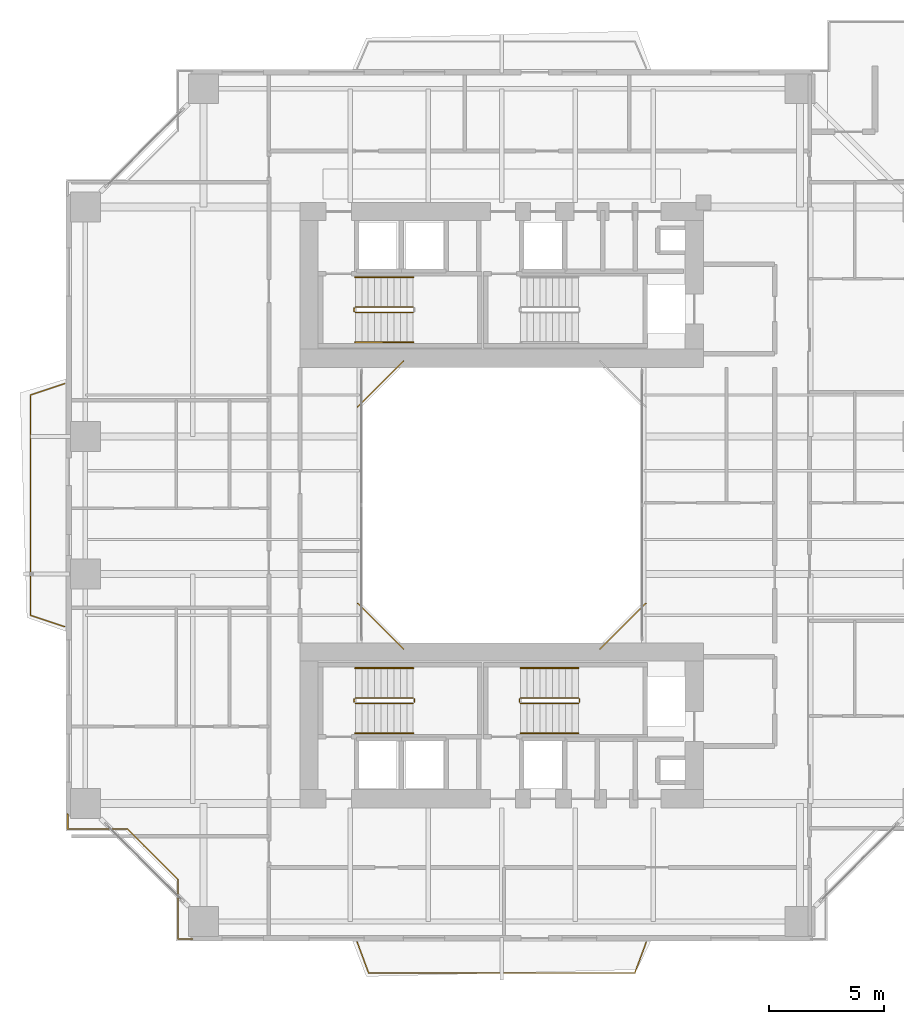
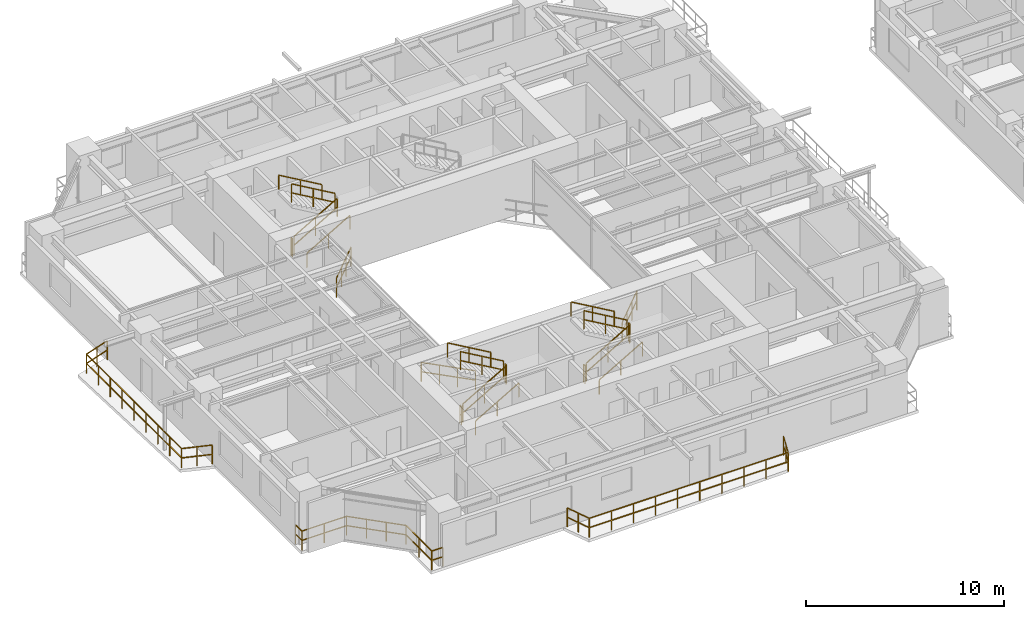
# One storey, part 20 of 23: 23 railings.
"""IFC4 building model written with IfcOpenShell, lengths in metres."""

from ifc_helpers import new_model, si_unit, direction, frame, origin, origin_2d, place, context, subcontext, project, spatial, rectangle, extrude, material, type_object, element, save


model = new_model("IFC4")

# Units and contexts
model_context = context("Model", 3, precision=1e-05, world=origin(), true_north=direction((0.0, 1.0)))
body_context = subcontext(model_context, "Body", "Model", "MODEL_VIEW")
ifc_project = project(units=[si_unit("LENGTHUNIT", "METRE"), si_unit("AREAUNIT", "SQUARE_METRE"), si_unit("VOLUMEUNIT", "CUBIC_METRE"), si_unit("PLANEANGLEUNIT", "RADIAN"), si_unit("MASSUNIT", "GRAM", prefix="KILO"), si_unit("THERMODYNAMICTEMPERATUREUNIT", "KELVIN"), si_unit("POWERUNIT", "WATT")], contexts=[model_context])

# Site, building, storey
site_placement = place(None, origin())
site = spatial("IfcSite", under=ifc_project, at=site_placement, CompositionType="ELEMENT")
building_placement = place(site_placement, origin())
building = spatial("IfcBuilding", under=site, at=building_placement, Name="Qiaomeng Ring Towers", CompositionType="ELEMENT")
storey_placement = place(building_placement, frame((0.0, 0.0, 32.75)))
storey = spatial("IfcBuildingStorey", under=building, at=storey_placement, Name="L08", CompositionType="ELEMENT", Elevation=32.75)

# Railings
ifc_material_1 = material(Name="Low-E pale-green laminated safety glass", Category="glass")
railing_type_1 = type_object("IfcRailingType", Name="ARC-RL-BAL1", PredefinedType="BALUSTRADE", material=ifc_material_1)
railing_1_placement = place(storey_placement, frame((23.280029296875, 16.719970703125, 0.0)))
element("IfcRailing", 1, at=railing_1_placement, inside=storey, type_object=railing_type_1, Name="L08 Balustrade ARC-BAL-WELL1-L08-1", PredefinedType="BALUSTRADE", context=body_context, shape_type="SweptSolid", body=[
    extrude(rectangle(XDim=0.048095703125, YDim=0.048095703125, at=origin_2d()), frame((0.0, 0.0, 1.17578125), z_axis=(0.707106781187, 0.707106781187, 0.0), x_axis=(-0.707106781187, 0.707106781187, 0.0)), (0.0, 0.0, 1.0), 2.828369140625),
    extrude(rectangle(XDim=0.048095703125, YDim=0.048095703125, at=origin_2d()), frame((0.0, 0.0, 0.60009765625), z_axis=(0.707106781187, 0.707106781187, 0.0), x_axis=(-0.707106781187, 0.707106781187, 0.0)), (0.0, 0.0, 1.0), 2.828369140625),
    extrude(rectangle(XDim=0.0419921875, YDim=0.0419921875, at=origin_2d()), origin(), (0.0, 0.0, 1.0), 1.15185546875),
    extrude(rectangle(XDim=0.0419921875, YDim=0.0419921875, at=origin_2d()), frame((0.666748046875, 0.666748046875, 0.0)), (0.0, 0.0, 1.0), 1.15185546875),
    extrude(rectangle(XDim=0.0419921875, YDim=0.0419921875, at=origin_2d()), frame((1.333251953125, 1.333251953125, 0.0)), (0.0, 0.0, 1.0), 1.15185546875),
    extrude(rectangle(XDim=0.0419921875, YDim=0.0419921875, at=origin_2d()), frame((2.0, 2.0, 0.0)), (0.0, 0.0, 1.0), 1.15185546875),
])
railing_2_placement = place(storey_placement, frame((14.719970703125, 29.280029296875, 0.0)))
element("IfcRailing", 2, at=railing_2_placement, inside=storey, type_object=railing_type_1, Name="L08 Balustrade ARC-BAL-WELL1-L08-3", PredefinedType="BALUSTRADE", context=body_context, shape_type="SweptSolid", body=[
    extrude(rectangle(XDim=0.048095703125, YDim=0.048095703125, at=origin_2d()), frame((0.0, 0.0, 1.17578125), z_axis=(-0.707106781187, -0.707106781187, 0.0), x_axis=(0.707106781187, -0.707106781187, 0.0)), (0.0, 0.0, 1.0), 2.828369140625),
    extrude(rectangle(XDim=0.048095703125, YDim=0.048095703125, at=origin_2d()), frame((0.0, 0.0, 0.60009765625), z_axis=(-0.707106781187, -0.707106781187, 0.0), x_axis=(0.707106781187, -0.707106781187, 0.0)), (0.0, 0.0, 1.0), 2.828369140625),
    extrude(rectangle(XDim=0.0419921875, YDim=0.0419921875, at=origin_2d()), origin(), (0.0, 0.0, 1.0), 1.15185546875),
    extrude(rectangle(XDim=0.0419921875, YDim=0.0419921875, at=origin_2d()), frame((-0.666748046875, -0.666748046875, 0.0)), (0.0, 0.0, 1.0), 1.15185546875),
    extrude(rectangle(XDim=0.0419921875, YDim=0.0419921875, at=origin_2d()), frame((-1.333251953125, -1.333251953125, 0.0)), (0.0, 0.0, 1.0), 1.15185546875),
    extrude(rectangle(XDim=0.0419921875, YDim=0.0419921875, at=origin_2d()), frame((-2.0, -2.0, 0.0)), (0.0, 0.0, 1.0), 1.15185546875),
])
railing_3_placement = place(storey_placement, frame((12.719970703125, 18.719970703125, 0.0)))
element("IfcRailing", 3, at=railing_3_placement, inside=storey, type_object=railing_type_1, Name="L08 Balustrade ARC-BAL-WELL1-L08-4", PredefinedType="BALUSTRADE", context=body_context, shape_type="SweptSolid", body=[
    extrude(rectangle(XDim=0.048095703125, YDim=0.048095703125, at=origin_2d()), frame((0.0, 0.0, 1.17578125), z_axis=(0.707106781187, -0.707106781187, 0.0), x_axis=(0.707106781187, 0.707106781187, 0.0)), (0.0, 0.0, 1.0), 2.828369140625),
    extrude(rectangle(XDim=0.048095703125, YDim=0.048095703125, at=origin_2d()), frame((0.0, 0.0, 0.60009765625), z_axis=(0.707106781187, -0.707106781187, 0.0), x_axis=(0.707106781187, 0.707106781187, 0.0)), (0.0, 0.0, 1.0), 2.828369140625),
    extrude(rectangle(XDim=0.0419921875, YDim=0.0419921875, at=origin_2d()), origin(), (0.0, 0.0, 1.0), 1.15185546875),
    extrude(rectangle(XDim=0.0419921875, YDim=0.0419921875, at=origin_2d()), frame((0.666748046875, -0.666748046875, 0.0)), (0.0, 0.0, 1.0), 1.15185546875),
    extrude(rectangle(XDim=0.0419921875, YDim=0.0419921875, at=origin_2d()), frame((1.333251953125, -1.333251953125, 0.0)), (0.0, 0.0, 1.0), 1.15185546875),
    extrude(rectangle(XDim=0.0419921875, YDim=0.0419921875, at=origin_2d()), frame((2.0, -2.0, 0.0)), (0.0, 0.0, 1.0), 1.15185546875),
])
railing_4_placement = place(storey_placement, frame((0.080078125, 9.530029296875, 0.0)))
element("IfcRailing", 4, at=railing_4_placement, inside=storey, type_object=railing_type_1, Name="L08 Balustrade ARC-BAL-NOTCH1-L08-SW", PredefinedType="BALUSTRADE", context=body_context, shape_type="SweptSolid", body=[
    extrude(rectangle(XDim=0.048095703125, YDim=0.048095703125, at=origin_2d()), frame((0.0, 0.0, 1.17578125), z_axis=(0.0, -1.0, 0.0), x_axis=(1.0, 0.0, 0.0)), (0.0, 0.0, 1.0), 0.650146484375),
    extrude(rectangle(XDim=0.048095703125, YDim=0.048095703125, at=origin_2d()), frame((0.0, 0.0, 0.60009765625), z_axis=(0.0, -1.0, 0.0), x_axis=(1.0, 0.0, 0.0)), (0.0, 0.0, 1.0), 0.650146484375),
    extrude(rectangle(XDim=0.048095703125, YDim=0.048095703125, at=origin_2d()), frame((0.0, -0.650146484375, 1.17578125), z_axis=(1.0, 0.0, 0.0), x_axis=(0.0, 1.0, 0.0)), (0.0, 0.0, 1.0), 2.599853515625),
    extrude(rectangle(XDim=0.048095703125, YDim=0.048095703125, at=origin_2d()), frame((0.0, -0.650146484375, 0.60009765625), z_axis=(1.0, 0.0, 0.0), x_axis=(0.0, 1.0, 0.0)), (0.0, 0.0, 1.0), 2.599853515625),
    extrude(rectangle(XDim=0.048095703125, YDim=0.048095703125, at=origin_2d()), frame((2.599853515625, -0.650146484375, 1.17578125), z_axis=(0.707106781187, -0.707106781187, 0.0), x_axis=(0.707106781187, 0.707106781187, 0.0)), (0.0, 0.0, 1.0), 3.111083984375),
    extrude(rectangle(XDim=0.048095703125, YDim=0.048095703125, at=origin_2d()), frame((2.599853515625, -0.650146484375, 0.60009765625), z_axis=(0.707106781187, -0.707106781187, 0.0), x_axis=(0.707106781187, 0.707106781187, 0.0)), (0.0, 0.0, 1.0), 3.111083984375),
    extrude(rectangle(XDim=0.048095703125, YDim=0.048095703125, at=origin_2d()), frame((4.7998046875, -2.85009765625, 1.17578125), z_axis=(0.0, -1.0, 0.0), x_axis=(1.0, 0.0, 0.0)), (0.0, 0.0, 1.0), 2.599853515625),
    extrude(rectangle(XDim=0.048095703125, YDim=0.048095703125, at=origin_2d()), frame((4.7998046875, -2.85009765625, 0.60009765625), z_axis=(0.0, -1.0, 0.0), x_axis=(1.0, 0.0, 0.0)), (0.0, 0.0, 1.0), 2.599853515625),
    extrude(rectangle(XDim=0.048095703125, YDim=0.048095703125, at=origin_2d()), frame((4.7998046875, -5.449951171875, 1.17578125), z_axis=(1.0, 0.0, 0.0), x_axis=(0.0, 1.0, 0.0)), (0.0, 0.0, 1.0), 0.650146484375),
    extrude(rectangle(XDim=0.048095703125, YDim=0.048095703125, at=origin_2d()), frame((4.7998046875, -5.449951171875, 0.60009765625), z_axis=(1.0, 0.0, 0.0), x_axis=(0.0, 1.0, 0.0)), (0.0, 0.0, 1.0), 0.650146484375),
    extrude(rectangle(XDim=0.0419921875, YDim=0.0419921875, at=origin_2d()), origin(), (0.0, 0.0, 1.0), 1.15185546875),
    extrude(rectangle(XDim=0.0419921875, YDim=0.0419921875, at=origin_2d()), frame((0.0, -0.650146484375, 0.0)), (0.0, 0.0, 1.0), 1.15185546875),
    extrude(rectangle(XDim=0.0419921875, YDim=0.0419921875, at=origin_2d()), frame((1.2998046875, -0.650146484375, 0.0)), (0.0, 0.0, 1.0), 1.15185546875),
    extrude(rectangle(XDim=0.0419921875, YDim=0.0419921875, at=origin_2d()), frame((2.599853515625, -0.650146484375, 0.0)), (0.0, 0.0, 1.0), 1.15185546875),
    extrude(rectangle(XDim=0.0419921875, YDim=0.0419921875, at=origin_2d()), frame((3.333251953125, -1.383544921875, 0.0)), (0.0, 0.0, 1.0), 1.15185546875),
    extrude(rectangle(XDim=0.0419921875, YDim=0.0419921875, at=origin_2d()), frame((4.06640625, -2.11669921875, 0.0)), (0.0, 0.0, 1.0), 1.15185546875),
    extrude(rectangle(XDim=0.0419921875, YDim=0.0419921875, at=origin_2d()), frame((4.7998046875, -2.85009765625, 0.0)), (0.0, 0.0, 1.0), 1.15185546875),
    extrude(rectangle(XDim=0.0419921875, YDim=0.0419921875, at=origin_2d()), frame((4.7998046875, -4.14990234375, 0.0)), (0.0, 0.0, 1.0), 1.15185546875),
    extrude(rectangle(XDim=0.0419921875, YDim=0.0419921875, at=origin_2d()), frame((4.7998046875, -5.449951171875, 0.0)), (0.0, 0.0, 1.0), 1.15185546875),
    extrude(rectangle(XDim=0.0419921875, YDim=0.0419921875, at=origin_2d()), frame((5.449951171875, -5.449951171875, 0.0)), (0.0, 0.0, 1.0), 1.15185546875),
])
railing_5_placement = place(storey_placement, frame((12.699951171875, 3.949951171875, 0.0)))
element("IfcRailing", 5, at=railing_5_placement, inside=storey, type_object=railing_type_1, Name="L08 Balustrade ARC-BAL-L08-T1-S", PredefinedType="BALUSTRADE", context=body_context, shape_type="SweptSolid", body=[
    extrude(rectangle(XDim=0.048095703125, YDim=0.048095703125, at=origin_2d()), frame((0.0, 0.0, 1.17578125), z_axis=(0.347347498827, -0.937736484871, 0.0), x_axis=(0.937736484871, 0.347347498827, 0.0)), (0.0, 0.0, 1.0), 1.439453125),
    extrude(rectangle(XDim=0.048095703125, YDim=0.048095703125, at=origin_2d()), frame((0.0, 0.0, 0.60009765625), z_axis=(0.347347498827, -0.937736484871, 0.0), x_axis=(0.937736484871, 0.347347498827, 0.0)), (0.0, 0.0, 1.0), 1.439453125),
    extrude(rectangle(XDim=0.048095703125, YDim=0.048095703125, at=origin_2d()), frame((0.5, -1.349853515625, 1.17578125), z_axis=(1.0, 0.0, 0.0), x_axis=(0.0, 1.0, 0.0)), (0.0, 0.0, 1.0), 11.60009765625),
    extrude(rectangle(XDim=0.048095703125, YDim=0.048095703125, at=origin_2d()), frame((0.5, -1.349853515625, 0.60009765625), z_axis=(1.0, 0.0, 0.0), x_axis=(0.0, 1.0, 0.0)), (0.0, 0.0, 1.0), 11.60009765625),
    extrude(rectangle(XDim=0.048095703125, YDim=0.048095703125, at=origin_2d()), frame((12.10009765625, -1.349853515625, 1.17578125), z_axis=(0.347347498827, 0.937736484871, 0.0), x_axis=(-0.937736484871, 0.347347498827, 0.0)), (0.0, 0.0, 1.0), 1.439453125),
    extrude(rectangle(XDim=0.048095703125, YDim=0.048095703125, at=origin_2d()), frame((12.10009765625, -1.349853515625, 0.60009765625), z_axis=(0.347347498827, 0.937736484871, 0.0), x_axis=(-0.937736484871, 0.347347498827, 0.0)), (0.0, 0.0, 1.0), 1.439453125),
    extrude(rectangle(XDim=0.0419921875, YDim=0.0419921875, at=origin_2d()), origin(), (0.0, 0.0, 1.0), 1.15185546875),
    extrude(rectangle(XDim=0.0419921875, YDim=0.0419921875, at=origin_2d()), frame((0.25, -0.6748046875, 0.0)), (0.0, 0.0, 1.0), 1.15185546875),
    extrude(rectangle(XDim=0.0419921875, YDim=0.0419921875, at=origin_2d()), frame((0.5, -1.349853515625, 0.0)), (0.0, 0.0, 1.0), 1.15185546875),
    extrude(rectangle(XDim=0.0419921875, YDim=0.0419921875, at=origin_2d()), frame((1.788818359375, -1.349853515625, 0.0)), (0.0, 0.0, 1.0), 1.15185546875),
    extrude(rectangle(XDim=0.0419921875, YDim=0.0419921875, at=origin_2d()), frame((3.077880859375, -1.349853515625, 0.0)), (0.0, 0.0, 1.0), 1.15185546875),
    extrude(rectangle(XDim=0.0419921875, YDim=0.0419921875, at=origin_2d()), frame((4.36669921875, -1.349853515625, 0.0)), (0.0, 0.0, 1.0), 1.15185546875),
    extrude(rectangle(XDim=0.0419921875, YDim=0.0419921875, at=origin_2d()), frame((5.655517578125, -1.349853515625, 0.0)), (0.0, 0.0, 1.0), 1.15185546875),
    extrude(rectangle(XDim=0.0419921875, YDim=0.0419921875, at=origin_2d()), frame((6.944580078125, -1.349853515625, 0.0)), (0.0, 0.0, 1.0), 1.15185546875),
    extrude(rectangle(XDim=0.0419921875, YDim=0.0419921875, at=origin_2d()), frame((8.2333984375, -1.349853515625, 0.0)), (0.0, 0.0, 1.0), 1.15185546875),
    extrude(rectangle(XDim=0.0419921875, YDim=0.0419921875, at=origin_2d()), frame((9.522216796875, -1.349853515625, 0.0)), (0.0, 0.0, 1.0), 1.15185546875),
    extrude(rectangle(XDim=0.0419921875, YDim=0.0419921875, at=origin_2d()), frame((10.811279296875, -1.349853515625, 0.0)), (0.0, 0.0, 1.0), 1.15185546875),
    extrude(rectangle(XDim=0.0419921875, YDim=0.0419921875, at=origin_2d()), frame((12.10009765625, -1.349853515625, 0.0)), (0.0, 0.0, 1.0), 1.15185546875),
    extrude(rectangle(XDim=0.0419921875, YDim=0.0419921875, at=origin_2d()), frame((12.35009765625, -0.6748046875, 0.0)), (0.0, 0.0, 1.0), 1.15185546875),
    extrude(rectangle(XDim=0.0419921875, YDim=0.0419921875, at=origin_2d()), frame((12.60009765625, 0.0, 0.0)), (0.0, 0.0, 1.0), 1.15185546875),
])
railing_6_placement = place(storey_placement, frame((-0.050048828125, 17.699951171875, 0.0)))
element("IfcRailing", 6, at=railing_6_placement, inside=storey, type_object=railing_type_1, Name="L08 Balustrade ARC-BAL-L08-T1-W", PredefinedType="BALUSTRADE", context=body_context, shape_type="SweptSolid", body=[
    extrude(rectangle(XDim=0.048095703125, YDim=0.048095703125, at=origin_2d()), frame((0.0, 0.0, 1.17578125), z_axis=(-0.948683298051, 0.316227766017, 0.0), x_axis=(-0.316227766017, -0.948683298051, 0.0)), (0.0, 0.0, 1.0), 1.5810546875),
    extrude(rectangle(XDim=0.048095703125, YDim=0.048095703125, at=origin_2d()), frame((0.0, 0.0, 0.60009765625), z_axis=(-0.948683298051, 0.316227766017, 0.0), x_axis=(-0.316227766017, -0.948683298051, 0.0)), (0.0, 0.0, 1.0), 1.5810546875),
    extrude(rectangle(XDim=0.048095703125, YDim=0.048095703125, at=origin_2d()), frame((-1.5, 0.5, 1.17578125), z_axis=(0.0, 1.0, 0.0), x_axis=(-1.0, 0.0, 0.0)), (0.0, 0.0, 1.0), 9.60009765625),
    extrude(rectangle(XDim=0.048095703125, YDim=0.048095703125, at=origin_2d()), frame((-1.5, 0.5, 0.60009765625), z_axis=(0.0, 1.0, 0.0), x_axis=(-1.0, 0.0, 0.0)), (0.0, 0.0, 1.0), 9.60009765625),
    extrude(rectangle(XDim=0.048095703125, YDim=0.048095703125, at=origin_2d()), frame((-1.5, 10.10009765625, 1.17578125), z_axis=(0.948683298051, 0.316227766017, 0.0), x_axis=(-0.316227766017, 0.948683298051, 0.0)), (0.0, 0.0, 1.0), 1.5810546875),
    extrude(rectangle(XDim=0.048095703125, YDim=0.048095703125, at=origin_2d()), frame((-1.5, 10.10009765625, 0.60009765625), z_axis=(0.948683298051, 0.316227766017, 0.0), x_axis=(-0.316227766017, 0.948683298051, 0.0)), (0.0, 0.0, 1.0), 1.5810546875),
    extrude(rectangle(XDim=0.0419921875, YDim=0.0419921875, at=origin_2d()), origin(), (0.0, 0.0, 1.0), 1.15185546875),
    extrude(rectangle(XDim=0.0419921875, YDim=0.0419921875, at=origin_2d()), frame((-0.75, 0.25, 0.0)), (0.0, 0.0, 1.0), 1.15185546875),
    extrude(rectangle(XDim=0.0419921875, YDim=0.0419921875, at=origin_2d()), frame((-1.5, 0.5, 0.0)), (0.0, 0.0, 1.0), 1.15185546875),
    extrude(rectangle(XDim=0.0419921875, YDim=0.0419921875, at=origin_2d()), frame((-1.5, 1.699951171875, 0.0)), (0.0, 0.0, 1.0), 1.15185546875),
    extrude(rectangle(XDim=0.0419921875, YDim=0.0419921875, at=origin_2d()), frame((-1.5, 2.89990234375, 0.0)), (0.0, 0.0, 1.0), 1.15185546875),
    extrude(rectangle(XDim=0.0419921875, YDim=0.0419921875, at=origin_2d()), frame((-1.5, 4.10009765625, 0.0)), (0.0, 0.0, 1.0), 1.15185546875),
    extrude(rectangle(XDim=0.0419921875, YDim=0.0419921875, at=origin_2d()), frame((-1.5, 5.300048828125, 0.0)), (0.0, 0.0, 1.0), 1.15185546875),
    extrude(rectangle(XDim=0.0419921875, YDim=0.0419921875, at=origin_2d()), frame((-1.5, 6.5, 0.0)), (0.0, 0.0, 1.0), 1.15185546875),
    extrude(rectangle(XDim=0.0419921875, YDim=0.0419921875, at=origin_2d()), frame((-1.5, 7.7001953125, 0.0)), (0.0, 0.0, 1.0), 1.15185546875),
    extrude(rectangle(XDim=0.0419921875, YDim=0.0419921875, at=origin_2d()), frame((-1.5, 8.900146484375, 0.0)), (0.0, 0.0, 1.0), 1.15185546875),
    extrude(rectangle(XDim=0.0419921875, YDim=0.0419921875, at=origin_2d()), frame((-1.5, 10.10009765625, 0.0)), (0.0, 0.0, 1.0), 1.15185546875),
    extrude(rectangle(XDim=0.0419921875, YDim=0.0419921875, at=origin_2d()), frame((-0.75, 10.35009765625, 0.0)), (0.0, 0.0, 1.0), 1.15185546875),
    extrude(rectangle(XDim=0.0419921875, YDim=0.0419921875, at=origin_2d()), frame((0.0, 10.60009765625, 0.0)), (0.0, 0.0, 1.0), 1.15185546875),
])
ifc_material_2 = material(Name="Galvanised steel", Category="steel")
railing_type_2 = type_object("IfcRailingType", Name="ARC-RL-GUARD", PredefinedType="GUARDRAIL", material=ifc_material_2)
railing_7_placement = place(storey_placement, frame((12.6201171875, 31.39990234375, 0.16259765625)))
element("IfcRailing", 7, at=railing_7_placement, inside=storey, type_object=railing_type_2, Name="L08 ST1 stair guard 1", PredefinedType="GUARDRAIL", context=body_context, shape_type="SweptSolid", body=[
    extrude(rectangle(XDim=0.048095703125, YDim=0.048095703125, at=origin_2d()), frame((0.0, 0.0, 1.1259765625), z_axis=(0.864892226395, 0.0, 0.501957604506), x_axis=(0.0, 1.0, 0.0)), (0.0, 0.0, 1.0), 2.913330078125),
    extrude(rectangle(XDim=0.048095703125, YDim=0.048095703125, at=origin_2d()), frame((0.0, 0.0, 0.574951171875), z_axis=(0.864892226395, 0.0, 0.501957604506), x_axis=(0.0, 1.0, 0.0)), (0.0, 0.0, 1.0), 2.913330078125),
    extrude(rectangle(XDim=0.0419921875, YDim=0.0419921875, at=origin_2d()), origin(), (0.0, 0.0, 1.0), 1.101806640625),
    extrude(rectangle(XDim=0.0419921875, YDim=0.0419921875, at=origin_2d()), frame((1.259765625, 0.0, 0.731201171875)), (0.0, 0.0, 1.0), 1.101806640625),
    extrude(rectangle(XDim=0.0419921875, YDim=0.0419921875, at=origin_2d()), frame((2.519775390625, 0.0, 1.46240234375)), (0.0, 0.0, 1.0), 1.101806640625),
])
railing_8_placement = place(storey_placement, frame((15.139892578125, 31.639892578125, 1.78759765625)))
element("IfcRailing", 8, at=railing_8_placement, inside=storey, type_object=railing_type_2, Name="L08 ST1 stair guard 3", PredefinedType="GUARDRAIL", context=body_context, shape_type="SweptSolid", body=[
    extrude(rectangle(XDim=0.048095703125, YDim=0.048095703125, at=origin_2d()), frame((0.0, 0.0, 1.1259765625), z_axis=(-0.864892226395, 0.0, 0.501957604506), x_axis=(0.0, -1.0, 0.0)), (0.0, 0.0, 1.0), 2.913330078125),
    extrude(rectangle(XDim=0.048095703125, YDim=0.048095703125, at=origin_2d()), frame((0.0, 0.0, 0.574951171875), z_axis=(-0.864892226395, 0.0, 0.501957604506), x_axis=(0.0, -1.0, 0.0)), (0.0, 0.0, 1.0), 2.913330078125),
    extrude(rectangle(XDim=0.0419921875, YDim=0.0419921875, at=origin_2d()), origin(), (0.0, 0.0, 1.0), 1.101806640625),
    extrude(rectangle(XDim=0.0419921875, YDim=0.0419921875, at=origin_2d()), frame((-1.259765625, 0.0, 0.731201171875)), (0.0, 0.0, 1.0), 1.101806640625),
    extrude(rectangle(XDim=0.0419921875, YDim=0.0419921875, at=origin_2d()), frame((-2.519775390625, 0.0, 1.46240234375)), (0.0, 0.0, 1.0), 1.101806640625),
])
railing_9_placement = place(storey_placement, frame((12.570068359375, 31.449951171875, 0.0)))
element("IfcRailing", 9, at=railing_9_placement, inside=storey, type_object=railing_type_2, Name="L08 ST1 stair guard 4", PredefinedType="GUARDRAIL", context=body_context, shape_type="SweptSolid", body=[
    extrude(rectangle(XDim=0.048095703125, YDim=0.048095703125, at=origin_2d()), frame((0.0, 0.0, 1.1259765625), z_axis=(0.0, 1.0, 0.0), x_axis=(-1.0, 0.0, 0.0)), (0.0, 0.0, 1.0), 0.14013671875),
    extrude(rectangle(XDim=0.048095703125, YDim=0.048095703125, at=origin_2d()), frame((0.0, 0.0, 0.574951171875), z_axis=(0.0, 1.0, 0.0), x_axis=(-1.0, 0.0, 0.0)), (0.0, 0.0, 1.0), 0.14013671875),
    extrude(rectangle(XDim=0.0419921875, YDim=0.0419921875, at=origin_2d()), origin(), (0.0, 0.0, 1.0), 1.101806640625),
    extrude(rectangle(XDim=0.0419921875, YDim=0.0419921875, at=origin_2d()), frame((0.0, 0.14013671875, 0.0)), (0.0, 0.0, 1.0), 1.101806640625),
])
railing_10_placement = place(storey_placement, frame((12.6201171875, 14.360107421875, 0.16259765625)))
element("IfcRailing", 10, at=railing_10_placement, inside=storey, type_object=railing_type_2, Name="L08 ST3 stair guard 1", PredefinedType="GUARDRAIL", context=body_context, shape_type="SweptSolid", body=[
    extrude(rectangle(XDim=0.048095703125, YDim=0.048095703125, at=origin_2d()), frame((0.0, 0.0, 1.1259765625), z_axis=(0.864892226395, 0.0, 0.501957604506), x_axis=(0.0, 1.0, 0.0)), (0.0, 0.0, 1.0), 2.913330078125),
    extrude(rectangle(XDim=0.048095703125, YDim=0.048095703125, at=origin_2d()), frame((0.0, 0.0, 0.574951171875), z_axis=(0.864892226395, 0.0, 0.501957604506), x_axis=(0.0, 1.0, 0.0)), (0.0, 0.0, 1.0), 2.913330078125),
    extrude(rectangle(XDim=0.0419921875, YDim=0.0419921875, at=origin_2d()), origin(), (0.0, 0.0, 1.0), 1.101806640625),
    extrude(rectangle(XDim=0.0419921875, YDim=0.0419921875, at=origin_2d()), frame((1.259765625, 0.0, 0.731201171875)), (0.0, 0.0, 1.0), 1.101806640625),
    extrude(rectangle(XDim=0.0419921875, YDim=0.0419921875, at=origin_2d()), frame((2.519775390625, 0.0, 1.46240234375)), (0.0, 0.0, 1.0), 1.101806640625),
])
railing_11_placement = place(storey_placement, frame((15.18994140625, 14.409912109375, 1.625)))
element("IfcRailing", 11, at=railing_11_placement, inside=storey, type_object=railing_type_2, Name="L08 ST3 stair guard 2", PredefinedType="GUARDRAIL", context=body_context, shape_type="SweptSolid", body=[
    extrude(rectangle(XDim=0.048095703125, YDim=0.048095703125, at=origin_2d()), frame((0.0, 0.0, 1.1259765625), z_axis=(0.0, 1.0, 0.0), x_axis=(-1.0, 0.0, 0.0)), (0.0, 0.0, 1.0), 0.14013671875),
    extrude(rectangle(XDim=0.048095703125, YDim=0.048095703125, at=origin_2d()), frame((0.0, 0.0, 0.574951171875), z_axis=(0.0, 1.0, 0.0), x_axis=(-1.0, 0.0, 0.0)), (0.0, 0.0, 1.0), 0.14013671875),
    extrude(rectangle(XDim=0.0419921875, YDim=0.0419921875, at=origin_2d()), origin(), (0.0, 0.0, 1.0), 1.101806640625),
    extrude(rectangle(XDim=0.0419921875, YDim=0.0419921875, at=origin_2d()), frame((0.0, 0.14013671875, 0.0)), (0.0, 0.0, 1.0), 1.101806640625),
])
railing_12_placement = place(storey_placement, frame((15.139892578125, 14.60009765625, 1.78759765625)))
element("IfcRailing", 12, at=railing_12_placement, inside=storey, type_object=railing_type_2, Name="L08 ST3 stair guard 3", PredefinedType="GUARDRAIL", context=body_context, shape_type="SweptSolid", body=[
    extrude(rectangle(XDim=0.048095703125, YDim=0.048095703125, at=origin_2d()), frame((0.0, 0.0, 1.1259765625), z_axis=(-0.864892226395, 0.0, 0.501957604506), x_axis=(0.0, -1.0, 0.0)), (0.0, 0.0, 1.0), 2.913330078125),
    extrude(rectangle(XDim=0.048095703125, YDim=0.048095703125, at=origin_2d()), frame((0.0, 0.0, 0.574951171875), z_axis=(-0.864892226395, 0.0, 0.501957604506), x_axis=(0.0, -1.0, 0.0)), (0.0, 0.0, 1.0), 2.913330078125),
    extrude(rectangle(XDim=0.0419921875, YDim=0.0419921875, at=origin_2d()), origin(), (0.0, 0.0, 1.0), 1.101806640625),
    extrude(rectangle(XDim=0.0419921875, YDim=0.0419921875, at=origin_2d()), frame((-1.259765625, 0.0, 0.731201171875)), (0.0, 0.0, 1.0), 1.101806640625),
    extrude(rectangle(XDim=0.0419921875, YDim=0.0419921875, at=origin_2d()), frame((-2.519775390625, 0.0, 1.46240234375)), (0.0, 0.0, 1.0), 1.101806640625),
])
railing_13_placement = place(storey_placement, frame((12.570068359375, 14.409912109375, 0.0)))
element("IfcRailing", 13, at=railing_13_placement, inside=storey, type_object=railing_type_2, Name="L08 ST3 stair guard 4", PredefinedType="GUARDRAIL", context=body_context, shape_type="SweptSolid", body=[
    extrude(rectangle(XDim=0.048095703125, YDim=0.048095703125, at=origin_2d()), frame((0.0, 0.0, 1.1259765625), z_axis=(0.0, 1.0, 0.0), x_axis=(-1.0, 0.0, 0.0)), (0.0, 0.0, 1.0), 0.14013671875),
    extrude(rectangle(XDim=0.048095703125, YDim=0.048095703125, at=origin_2d()), frame((0.0, 0.0, 0.574951171875), z_axis=(0.0, 1.0, 0.0), x_axis=(-1.0, 0.0, 0.0)), (0.0, 0.0, 1.0), 0.14013671875),
    extrude(rectangle(XDim=0.0419921875, YDim=0.0419921875, at=origin_2d()), origin(), (0.0, 0.0, 1.0), 1.101806640625),
    extrude(rectangle(XDim=0.0419921875, YDim=0.0419921875, at=origin_2d()), frame((0.0, 0.14013671875, 0.0)), (0.0, 0.0, 1.0), 1.101806640625),
])
railing_14_placement = place(storey_placement, frame((19.820068359375, 14.360107421875, 0.16259765625)))
element("IfcRailing", 14, at=railing_14_placement, inside=storey, type_object=railing_type_2, Name="L08 ST4 stair guard 1", PredefinedType="GUARDRAIL", context=body_context, shape_type="SweptSolid", body=[
    extrude(rectangle(XDim=0.048095703125, YDim=0.048095703125, at=origin_2d()), frame((0.0, 0.0, 1.1259765625), z_axis=(0.864913338283, 0.0, 0.50192122615), x_axis=(0.0, 1.0, 0.0)), (0.0, 0.0, 1.0), 2.91357421875),
    extrude(rectangle(XDim=0.048095703125, YDim=0.048095703125, at=origin_2d()), frame((0.0, 0.0, 0.574951171875), z_axis=(0.864913338283, 0.0, 0.50192122615), x_axis=(0.0, 1.0, 0.0)), (0.0, 0.0, 1.0), 2.91357421875),
    extrude(rectangle(XDim=0.0419921875, YDim=0.0419921875, at=origin_2d()), origin(), (0.0, 0.0, 1.0), 1.101806640625),
    extrude(rectangle(XDim=0.0419921875, YDim=0.0419921875, at=origin_2d()), frame((1.260009765625, 0.0, 0.731201171875)), (0.0, 0.0, 1.0), 1.101806640625),
    extrude(rectangle(XDim=0.0419921875, YDim=0.0419921875, at=origin_2d()), frame((2.52001953125, 0.0, 1.46240234375)), (0.0, 0.0, 1.0), 1.101806640625),
])
railing_15_placement = place(storey_placement, frame((22.389892578125, 14.409912109375, 1.625)))
element("IfcRailing", 15, at=railing_15_placement, inside=storey, type_object=railing_type_2, Name="L08 ST4 stair guard 2", PredefinedType="GUARDRAIL", context=body_context, shape_type="SweptSolid", body=[
    extrude(rectangle(XDim=0.048095703125, YDim=0.048095703125, at=origin_2d()), frame((0.0, 0.0, 1.1259765625), z_axis=(0.0, 1.0, 0.0), x_axis=(-1.0, 0.0, 0.0)), (0.0, 0.0, 1.0), 0.14013671875),
    extrude(rectangle(XDim=0.048095703125, YDim=0.048095703125, at=origin_2d()), frame((0.0, 0.0, 0.574951171875), z_axis=(0.0, 1.0, 0.0), x_axis=(-1.0, 0.0, 0.0)), (0.0, 0.0, 1.0), 0.14013671875),
    extrude(rectangle(XDim=0.0419921875, YDim=0.0419921875, at=origin_2d()), origin(), (0.0, 0.0, 1.0), 1.101806640625),
    extrude(rectangle(XDim=0.0419921875, YDim=0.0419921875, at=origin_2d()), frame((0.0, 0.14013671875, 0.0)), (0.0, 0.0, 1.0), 1.101806640625),
])
railing_16_placement = place(storey_placement, frame((22.340087890625, 14.60009765625, 1.78759765625)))
element("IfcRailing", 16, at=railing_16_placement, inside=storey, type_object=railing_type_2, Name="L08 ST4 stair guard 3", PredefinedType="GUARDRAIL", context=body_context, shape_type="SweptSolid", body=[
    extrude(rectangle(XDim=0.048095703125, YDim=0.048095703125, at=origin_2d()), frame((0.0, 0.0, 1.1259765625), z_axis=(-0.864913338283, 0.0, 0.50192122615), x_axis=(0.0, -1.0, 0.0)), (0.0, 0.0, 1.0), 2.91357421875),
    extrude(rectangle(XDim=0.048095703125, YDim=0.048095703125, at=origin_2d()), frame((0.0, 0.0, 0.574951171875), z_axis=(-0.864913338283, 0.0, 0.50192122615), x_axis=(0.0, -1.0, 0.0)), (0.0, 0.0, 1.0), 2.91357421875),
    extrude(rectangle(XDim=0.0419921875, YDim=0.0419921875, at=origin_2d()), origin(), (0.0, 0.0, 1.0), 1.101806640625),
    extrude(rectangle(XDim=0.0419921875, YDim=0.0419921875, at=origin_2d()), frame((-1.260009765625, 0.0, 0.731201171875)), (0.0, 0.0, 1.0), 1.101806640625),
    extrude(rectangle(XDim=0.0419921875, YDim=0.0419921875, at=origin_2d()), frame((-2.52001953125, 0.0, 1.46240234375)), (0.0, 0.0, 1.0), 1.101806640625),
])
railing_17_placement = place(storey_placement, frame((19.77001953125, 14.409912109375, 0.0)))
element("IfcRailing", 17, at=railing_17_placement, inside=storey, type_object=railing_type_2, Name="L08 ST4 stair guard 4", PredefinedType="GUARDRAIL", context=body_context, shape_type="SweptSolid", body=[
    extrude(rectangle(XDim=0.048095703125, YDim=0.048095703125, at=origin_2d()), frame((0.0, 0.0, 1.1259765625), z_axis=(0.0, 1.0, 0.0), x_axis=(-1.0, 0.0, 0.0)), (0.0, 0.0, 1.0), 0.14013671875),
    extrude(rectangle(XDim=0.048095703125, YDim=0.048095703125, at=origin_2d()), frame((0.0, 0.0, 0.574951171875), z_axis=(0.0, 1.0, 0.0), x_axis=(-1.0, 0.0, 0.0)), (0.0, 0.0, 1.0), 0.14013671875),
    extrude(rectangle(XDim=0.0419921875, YDim=0.0419921875, at=origin_2d()), origin(), (0.0, 0.0, 1.0), 1.101806640625),
    extrude(rectangle(XDim=0.0419921875, YDim=0.0419921875, at=origin_2d()), frame((0.0, 0.14013671875, 0.0)), (0.0, 0.0, 1.0), 1.101806640625),
])
ifc_material_3 = material(Name="Stainless steel 316", Category="steel")
railing_type_3 = type_object("IfcRailingType", Name="ARC-RL-HAND", PredefinedType="HANDRAIL", material=ifc_material_3)
railing_18_placement = place(storey_placement, frame((12.6201171875, 30.10009765625, 0.16259765625)))
element("IfcRailing", 18, at=railing_18_placement, inside=storey, type_object=railing_type_3, Name="L08 ST1 stair handrail 1", PredefinedType="HANDRAIL", context=body_context, shape_type="SweptSolid", body=[
    extrude(rectangle(XDim=0.048095703125, YDim=0.048095703125, at=origin_2d()), frame((0.0, 0.0, 0.8759765625), z_axis=(0.864892226395, 0.0, 0.501957604506), x_axis=(0.0, 1.0, 0.0)), (0.0, 0.0, 1.0), 2.913330078125),
    extrude(rectangle(XDim=0.0419921875, YDim=0.0419921875, at=origin_2d()), origin(), (0.0, 0.0, 1.0), 0.851806640625),
    extrude(rectangle(XDim=0.0419921875, YDim=0.0419921875, at=origin_2d()), frame((1.259765625, 0.0, 0.731201171875)), (0.0, 0.0, 1.0), 0.851806640625),
    extrude(rectangle(XDim=0.0419921875, YDim=0.0419921875, at=origin_2d()), frame((2.519775390625, 0.0, 1.46240234375)), (0.0, 0.0, 1.0), 0.851806640625),
])
railing_19_placement = place(storey_placement, frame((15.139892578125, 32.93994140625, 1.78759765625)))
element("IfcRailing", 19, at=railing_19_placement, inside=storey, type_object=railing_type_3, Name="L08 ST1 stair handrail 2", PredefinedType="HANDRAIL", context=body_context, shape_type="SweptSolid", body=[
    extrude(rectangle(XDim=0.048095703125, YDim=0.048095703125, at=origin_2d()), frame((0.0, 0.0, 0.8759765625), z_axis=(-0.864892226395, 0.0, 0.501957604506), x_axis=(0.0, -1.0, 0.0)), (0.0, 0.0, 1.0), 2.913330078125),
    extrude(rectangle(XDim=0.0419921875, YDim=0.0419921875, at=origin_2d()), origin(), (0.0, 0.0, 1.0), 0.851806640625),
    extrude(rectangle(XDim=0.0419921875, YDim=0.0419921875, at=origin_2d()), frame((-1.259765625, 0.0, 0.731201171875)), (0.0, 0.0, 1.0), 0.851806640625),
    extrude(rectangle(XDim=0.0419921875, YDim=0.0419921875, at=origin_2d()), frame((-2.519775390625, 0.0, 1.46240234375)), (0.0, 0.0, 1.0), 0.851806640625),
])
railing_20_placement = place(storey_placement, frame((12.6201171875, 13.06005859375, 0.16259765625)))
element("IfcRailing", 20, at=railing_20_placement, inside=storey, type_object=railing_type_3, Name="L08 ST3 stair handrail 1", PredefinedType="HANDRAIL", context=body_context, shape_type="SweptSolid", body=[
    extrude(rectangle(XDim=0.048095703125, YDim=0.048095703125, at=origin_2d()), frame((0.0, 0.0, 0.8759765625), z_axis=(0.864892226395, 0.0, 0.501957604506), x_axis=(0.0, 1.0, 0.0)), (0.0, 0.0, 1.0), 2.913330078125),
    extrude(rectangle(XDim=0.0419921875, YDim=0.0419921875, at=origin_2d()), origin(), (0.0, 0.0, 1.0), 0.851806640625),
    extrude(rectangle(XDim=0.0419921875, YDim=0.0419921875, at=origin_2d()), frame((1.259765625, 0.0, 0.731201171875)), (0.0, 0.0, 1.0), 0.851806640625),
    extrude(rectangle(XDim=0.0419921875, YDim=0.0419921875, at=origin_2d()), frame((2.519775390625, 0.0, 1.46240234375)), (0.0, 0.0, 1.0), 0.851806640625),
])
railing_21_placement = place(storey_placement, frame((15.139892578125, 15.89990234375, 1.78759765625)))
element("IfcRailing", 21, at=railing_21_placement, inside=storey, type_object=railing_type_3, Name="L08 ST3 stair handrail 2", PredefinedType="HANDRAIL", context=body_context, shape_type="SweptSolid", body=[
    extrude(rectangle(XDim=0.048095703125, YDim=0.048095703125, at=origin_2d()), frame((0.0, 0.0, 0.8759765625), z_axis=(-0.864892226395, 0.0, 0.501957604506), x_axis=(0.0, -1.0, 0.0)), (0.0, 0.0, 1.0), 2.913330078125),
    extrude(rectangle(XDim=0.0419921875, YDim=0.0419921875, at=origin_2d()), origin(), (0.0, 0.0, 1.0), 0.851806640625),
    extrude(rectangle(XDim=0.0419921875, YDim=0.0419921875, at=origin_2d()), frame((-1.259765625, 0.0, 0.731201171875)), (0.0, 0.0, 1.0), 0.851806640625),
    extrude(rectangle(XDim=0.0419921875, YDim=0.0419921875, at=origin_2d()), frame((-2.519775390625, 0.0, 1.46240234375)), (0.0, 0.0, 1.0), 0.851806640625),
])
railing_22_placement = place(storey_placement, frame((19.820068359375, 13.06005859375, 0.16259765625)))
element("IfcRailing", 22, at=railing_22_placement, inside=storey, type_object=railing_type_3, Name="L08 ST4 stair handrail 1", PredefinedType="HANDRAIL", context=body_context, shape_type="SweptSolid", body=[
    extrude(rectangle(XDim=0.048095703125, YDim=0.048095703125, at=origin_2d()), frame((0.0, 0.0, 0.8759765625), z_axis=(0.864913338283, 0.0, 0.50192122615), x_axis=(0.0, 1.0, 0.0)), (0.0, 0.0, 1.0), 2.91357421875),
    extrude(rectangle(XDim=0.0419921875, YDim=0.0419921875, at=origin_2d()), origin(), (0.0, 0.0, 1.0), 0.851806640625),
    extrude(rectangle(XDim=0.0419921875, YDim=0.0419921875, at=origin_2d()), frame((1.260009765625, 0.0, 0.731201171875)), (0.0, 0.0, 1.0), 0.851806640625),
    extrude(rectangle(XDim=0.0419921875, YDim=0.0419921875, at=origin_2d()), frame((2.52001953125, 0.0, 1.46240234375)), (0.0, 0.0, 1.0), 0.851806640625),
])
railing_23_placement = place(storey_placement, frame((22.340087890625, 15.89990234375, 1.78759765625)))
element("IfcRailing", 23, at=railing_23_placement, inside=storey, type_object=railing_type_3, Name="L08 ST4 stair handrail 2", PredefinedType="HANDRAIL", context=body_context, shape_type="SweptSolid", body=[
    extrude(rectangle(XDim=0.048095703125, YDim=0.048095703125, at=origin_2d()), frame((0.0, 0.0, 0.8759765625), z_axis=(-0.864913338283, 0.0, 0.50192122615), x_axis=(0.0, -1.0, 0.0)), (0.0, 0.0, 1.0), 2.91357421875),
    extrude(rectangle(XDim=0.0419921875, YDim=0.0419921875, at=origin_2d()), origin(), (0.0, 0.0, 1.0), 0.851806640625),
    extrude(rectangle(XDim=0.0419921875, YDim=0.0419921875, at=origin_2d()), frame((-1.260009765625, 0.0, 0.731201171875)), (0.0, 0.0, 1.0), 0.851806640625),
    extrude(rectangle(XDim=0.0419921875, YDim=0.0419921875, at=origin_2d()), frame((-2.52001953125, 0.0, 1.46240234375)), (0.0, 0.0, 1.0), 0.851806640625),
])

save(model, "model.ifc")
